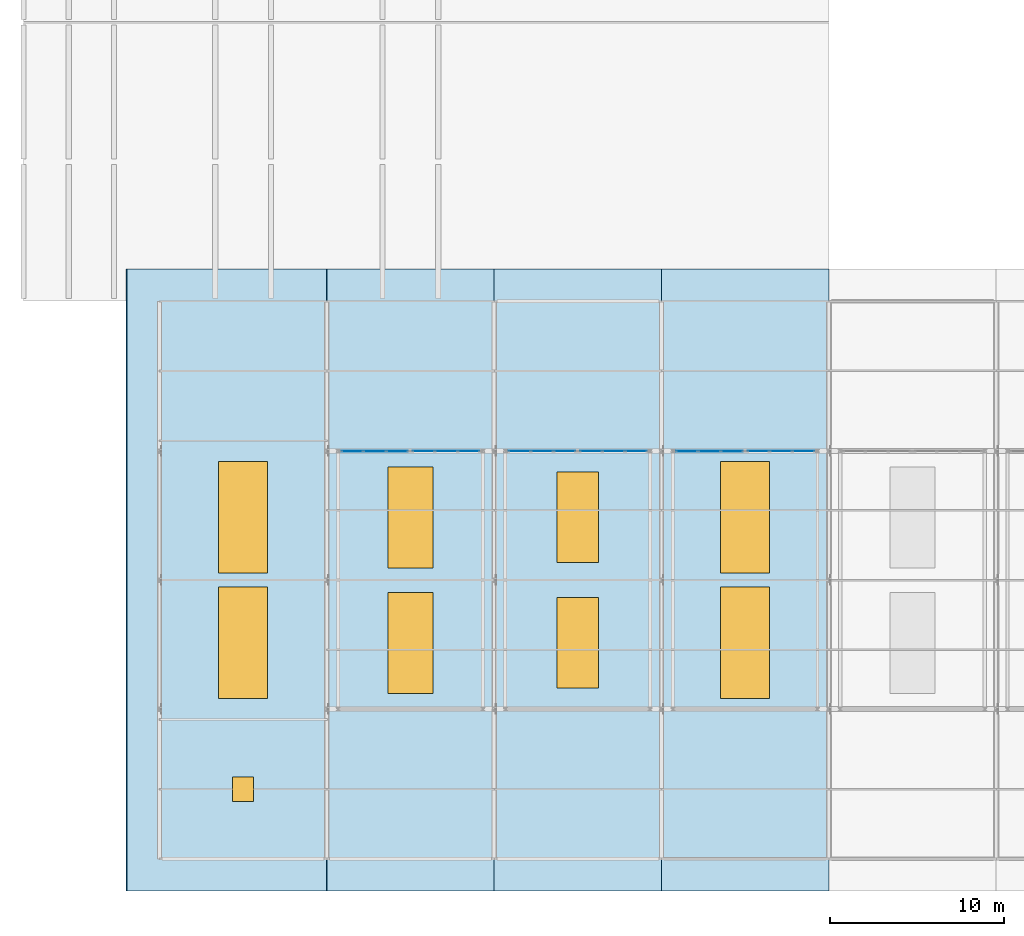
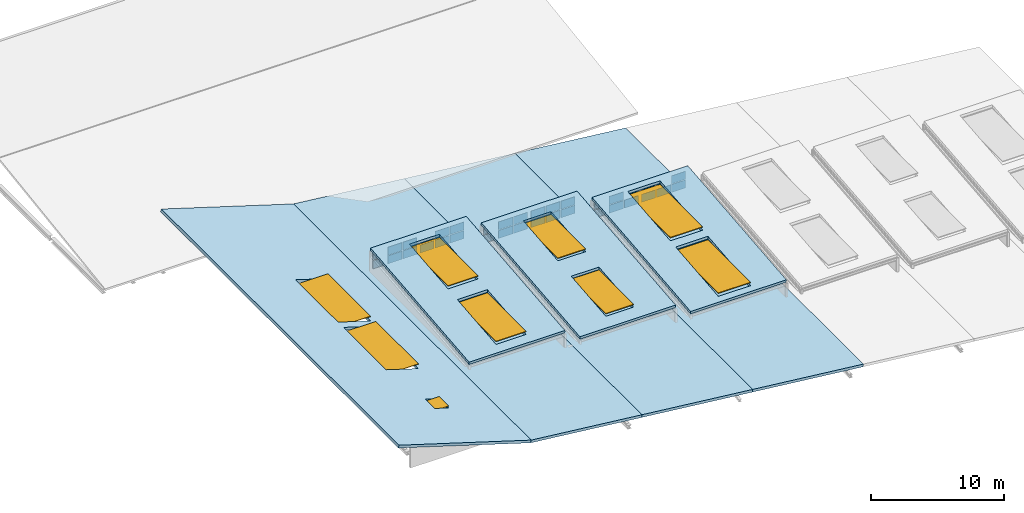
# One storey, part 26 of 30: 36 plates, 9 windows, 7 slabs, 9 openings, 6 elements without a shape of their own.
"""IFC4 building model written with IfcOpenShell, lengths in metres."""

from ifc_helpers import new_model, si_unit, direction, frame, origin, origin_2d, place, context, subcontext, project, spatial, polyline, rectangle, outline, extrude, material, layer, layer_set, type_object, element, fill, aggregate, save


model = new_model("IFC4")

# Units and contexts
model_context = context("Model", 3, precision=1e-05, world=origin(), true_north=direction((0.0, 1.0)))
body_context = subcontext(model_context, "Body", "Model", "MODEL_VIEW")
ifc_project = project(units=[si_unit("LENGTHUNIT", "METRE"), si_unit("AREAUNIT", "SQUARE_METRE"), si_unit("VOLUMEUNIT", "CUBIC_METRE"), si_unit("PLANEANGLEUNIT", "RADIAN"), si_unit("MASSUNIT", "GRAM", prefix="KILO")], contexts=[model_context])

# Site, building, storey
site_placement = place(None, origin())
site = spatial("IfcSite", under=ifc_project, at=site_placement, CompositionType="ELEMENT")
building_placement = place(site_placement, origin())
building = spatial("IfcBuilding", under=site, at=building_placement, Name="Alderhovde Museum", CompositionType="ELEMENT")
storey_placement = place(building_placement, frame((0.0, 0.0, 30.699951171875)))
storey = spatial("IfcBuildingStorey", under=building, at=storey_placement, Name="RF", CompositionType="ELEMENT", Elevation=30.699951171875)

# Curtain wall, plates
ifc_material_1 = material(Name="Triple-Glazed Bronze-Anodised Curtain Wall", Category="glass")
ifc_layer_1 = layer(ifc_material_1, 0.179931640625)
ifc_layer_set_1 = layer_set([ifc_layer_1], Name="Triple-Glazed Bronze-Anodised Curtain Wall")
curtain_wall_type = type_object("IfcCurtainWallType", Name="CW-STIC-394x166", PredefinedType="USERDEFINED", material=ifc_layer_set_1)
curtain_wall_1_placement = place(storey_placement, origin())
curtain_wall_1 = element("IfcCurtainWall", 1, at=curtain_wall_1_placement, inside=storey, type_object=curtain_wall_type, Name="RF Stick Curtain Wall 168", ObjectType="STICK CURTAIN WALL", PredefinedType="USERDEFINED")
ifc_material_2 = material(Name="Triple-Glazed Low-E Laminated Glass", Category="glass")
ifc_layer_2 = layer(ifc_material_2, 0.028076171875)
ifc_layer_set_2 = layer_set([ifc_layer_2], Name="Triple-Glazed Low-E Laminated Glass")
plate_type_1 = type_object("IfcPlateType", Name="CWP-GLAZ-28", PredefinedType="CURTAIN_PANEL", material=ifc_layer_set_2)
plate_1_placement = place(storey_placement, frame((24.7529296875, 71.39990234375, -1.164794921875), z_axis=(0.0, 0.0, 1.0), x_axis=(1.0, 0.0, 0.0)))
plate_1 = element("IfcPlate", 2, at=plate_1_placement, type_object=plate_type_1, Name="CW39 panel 1.1", PredefinedType="CURTAIN_PANEL", context=body_context, shape_type="SweptSolid", body=[
    extrude(rectangle(XDim=1.2158203125, YDim=0.028076171875, at=origin_2d()), origin(), (0.0, 0.0, 1.0), 0.732421875),
])
plate_2_placement = place(storey_placement, frame((24.7529296875, 71.39990234375, -0.367431640625), z_axis=(0.0, 0.0, 1.0), x_axis=(1.0, 0.0, 0.0)))
plate_2 = element("IfcPlate", 3, at=plate_2_placement, type_object=plate_type_1, Name="CW39 panel 1.2", PredefinedType="CURTAIN_PANEL", context=body_context, shape_type="SweptSolid", body=[
    extrude(rectangle(XDim=1.2158203125, YDim=0.028076171875, at=origin_2d()), origin(), (0.0, 0.0, 1.0), 0.732421875),
])
plate_3_placement = place(storey_placement, frame((26.050048828125, 71.39990234375, -1.164794921875), z_axis=(0.0, 0.0, 1.0), x_axis=(1.0, 0.0, 0.0)))
plate_3 = element("IfcPlate", 4, at=plate_3_placement, type_object=plate_type_1, Name="CW39 panel 2.1", PredefinedType="CURTAIN_PANEL", context=body_context, shape_type="SweptSolid", body=[
    extrude(rectangle(XDim=1.248291015625, YDim=0.028076171875, at=origin_2d()), origin(), (0.0, 0.0, 1.0), 0.732421875),
])
plate_4_placement = place(storey_placement, frame((26.050048828125, 71.39990234375, -0.367431640625), z_axis=(0.0, 0.0, 1.0), x_axis=(1.0, 0.0, 0.0)))
plate_4 = element("IfcPlate", 5, at=plate_4_placement, type_object=plate_type_1, Name="CW39 panel 2.2", PredefinedType="CURTAIN_PANEL", context=body_context, shape_type="SweptSolid", body=[
    extrude(rectangle(XDim=1.248291015625, YDim=0.028076171875, at=origin_2d()), origin(), (0.0, 0.0, 1.0), 0.732421875),
])
plate_5_placement = place(storey_placement, frame((27.34716796875, 71.39990234375, -1.164794921875), z_axis=(0.0, 0.0, 1.0), x_axis=(1.0, 0.0, 0.0)))
plate_5 = element("IfcPlate", 6, at=plate_5_placement, type_object=plate_type_1, Name="CW39 panel 3.1", PredefinedType="CURTAIN_PANEL", context=body_context, shape_type="SweptSolid", body=[
    extrude(rectangle(XDim=1.2158203125, YDim=0.028076171875, at=origin_2d()), origin(), (0.0, 0.0, 1.0), 0.732421875),
])
plate_6_placement = place(storey_placement, frame((27.34716796875, 71.39990234375, -0.367431640625), z_axis=(0.0, 0.0, 1.0), x_axis=(1.0, 0.0, 0.0)))
plate_6 = element("IfcPlate", 7, at=plate_6_placement, type_object=plate_type_1, Name="CW39 panel 3.2", PredefinedType="CURTAIN_PANEL", context=body_context, shape_type="SweptSolid", body=[
    extrude(rectangle(XDim=1.2158203125, YDim=0.028076171875, at=origin_2d()), origin(), (0.0, 0.0, 1.0), 0.732421875),
])
aggregate(curtain_wall_1, [plate_1, plate_2, plate_3, plate_4, plate_5, plate_6])

curtain_wall_2_placement = place(storey_placement, origin())
curtain_wall_2 = element("IfcCurtainWall", 8, at=curtain_wall_2_placement, inside=storey, type_object=curtain_wall_type, Name="RF Stick Curtain Wall 172", ObjectType="STICK CURTAIN WALL", PredefinedType="USERDEFINED")
plate_7_placement = place(storey_placement, frame((43.952880859375, 71.39990234375, -3.241943359375), z_axis=(0.0, 0.0, 1.0), x_axis=(1.0, 0.0, 0.0)))
plate_7 = element("IfcPlate", 9, at=plate_7_placement, type_object=plate_type_1, Name="CW39 panel 1.1", PredefinedType="CURTAIN_PANEL", context=body_context, shape_type="SweptSolid", body=[
    extrude(rectangle(XDim=1.2158203125, YDim=0.028076171875, at=origin_2d()), origin(), (0.0, 0.0, 1.0), 0.732421875),
])
plate_8_placement = place(storey_placement, frame((43.952880859375, 71.39990234375, -2.4443359375), z_axis=(0.0, 0.0, 1.0), x_axis=(1.0, 0.0, 0.0)))
plate_8 = element("IfcPlate", 10, at=plate_8_placement, type_object=plate_type_1, Name="CW39 panel 1.2", PredefinedType="CURTAIN_PANEL", context=body_context, shape_type="SweptSolid", body=[
    extrude(rectangle(XDim=1.2158203125, YDim=0.028076171875, at=origin_2d()), origin(), (0.0, 0.0, 1.0), 0.732421875),
])
plate_9_placement = place(storey_placement, frame((45.25, 71.39990234375, -3.241943359375), z_axis=(0.0, 0.0, 1.0), x_axis=(1.0, 0.0, 0.0)))
plate_9 = element("IfcPlate", 11, at=plate_9_placement, type_object=plate_type_1, Name="CW39 panel 2.1", PredefinedType="CURTAIN_PANEL", context=body_context, shape_type="SweptSolid", body=[
    extrude(rectangle(XDim=1.248291015625, YDim=0.028076171875, at=origin_2d()), origin(), (0.0, 0.0, 1.0), 0.732421875),
])
plate_10_placement = place(storey_placement, frame((45.25, 71.39990234375, -2.4443359375), z_axis=(0.0, 0.0, 1.0), x_axis=(1.0, 0.0, 0.0)))
plate_10 = element("IfcPlate", 12, at=plate_10_placement, type_object=plate_type_1, Name="CW39 panel 2.2", PredefinedType="CURTAIN_PANEL", context=body_context, shape_type="SweptSolid", body=[
    extrude(rectangle(XDim=1.248291015625, YDim=0.028076171875, at=origin_2d()), origin(), (0.0, 0.0, 1.0), 0.732421875),
])
plate_11_placement = place(storey_placement, frame((46.547119140625, 71.39990234375, -3.241943359375), z_axis=(0.0, 0.0, 1.0), x_axis=(1.0, 0.0, 0.0)))
plate_11 = element("IfcPlate", 13, at=plate_11_placement, type_object=plate_type_1, Name="CW39 panel 3.1", PredefinedType="CURTAIN_PANEL", context=body_context, shape_type="SweptSolid", body=[
    extrude(rectangle(XDim=1.2158203125, YDim=0.028076171875, at=origin_2d()), origin(), (0.0, 0.0, 1.0), 0.732421875),
])
plate_12_placement = place(storey_placement, frame((46.547119140625, 71.39990234375, -2.4443359375), z_axis=(0.0, 0.0, 1.0), x_axis=(1.0, 0.0, 0.0)))
plate_12 = element("IfcPlate", 14, at=plate_12_placement, type_object=plate_type_1, Name="CW39 panel 3.2", PredefinedType="CURTAIN_PANEL", context=body_context, shape_type="SweptSolid", body=[
    extrude(rectangle(XDim=1.2158203125, YDim=0.028076171875, at=origin_2d()), origin(), (0.0, 0.0, 1.0), 0.732421875),
])
aggregate(curtain_wall_2, [plate_7, plate_8, plate_9, plate_10, plate_11, plate_12])

curtain_wall_3_placement = place(storey_placement, origin())
curtain_wall_3 = element("IfcCurtainWall", 15, at=curtain_wall_3_placement, inside=storey, type_object=curtain_wall_type, Name="RF Stick Curtain Wall 169", ObjectType="STICK CURTAIN WALL", PredefinedType="USERDEFINED")
ifc_material_3 = material(Name="Triple-Glazed Low-E Laminated Glass", Category="glass")
ifc_layer_3 = layer(ifc_material_3, 0.035888671875)
ifc_layer_set_3 = layer_set([ifc_layer_3], Name="Triple-Glazed Low-E Laminated Glass")
plate_type_2 = type_object("IfcPlateType", Name="CWP-GLAZ-36", PredefinedType="CURTAIN_PANEL", material=ifc_layer_set_3)
plate_13_placement = place(storey_placement, frame((30.2529296875, 71.39990234375, -2.202880859375), z_axis=(0.0, 0.0, 1.0), x_axis=(1.0, 0.0, 0.0)))
plate_13 = element("IfcPlate", 16, at=plate_13_placement, type_object=plate_type_2, Name="CW39 panel 1.1", PredefinedType="CURTAIN_PANEL", context=body_context, shape_type="SweptSolid", body=[
    extrude(rectangle(XDim=1.2158203125, YDim=0.035888671875, at=origin_2d()), origin(), (0.0, 0.0, 1.0), 0.732421875),
])
plate_14_placement = place(storey_placement, frame((30.2529296875, 71.39990234375, -1.405517578125), z_axis=(0.0, 0.0, 1.0), x_axis=(1.0, 0.0, 0.0)))
plate_14 = element("IfcPlate", 17, at=plate_14_placement, type_object=plate_type_2, Name="CW39 panel 1.2", PredefinedType="CURTAIN_PANEL", context=body_context, shape_type="SweptSolid", body=[
    extrude(rectangle(XDim=1.2158203125, YDim=0.035888671875, at=origin_2d()), origin(), (0.0, 0.0, 1.0), 0.732421875),
])
plate_15_placement = place(storey_placement, frame((31.550048828125, 71.39990234375, -2.202880859375), z_axis=(0.0, 0.0, 1.0), x_axis=(1.0, 0.0, 0.0)))
plate_15 = element("IfcPlate", 18, at=plate_15_placement, type_object=plate_type_2, Name="CW39 panel 2.1", PredefinedType="CURTAIN_PANEL", context=body_context, shape_type="SweptSolid", body=[
    extrude(rectangle(XDim=1.248291015625, YDim=0.035888671875, at=origin_2d()), origin(), (0.0, 0.0, 1.0), 0.732421875),
])
plate_16_placement = place(storey_placement, frame((31.550048828125, 71.39990234375, -1.405517578125), z_axis=(0.0, 0.0, 1.0), x_axis=(1.0, 0.0, 0.0)))
plate_16 = element("IfcPlate", 19, at=plate_16_placement, type_object=plate_type_2, Name="CW39 panel 2.2", PredefinedType="CURTAIN_PANEL", context=body_context, shape_type="SweptSolid", body=[
    extrude(rectangle(XDim=1.248291015625, YDim=0.035888671875, at=origin_2d()), origin(), (0.0, 0.0, 1.0), 0.732421875),
])
plate_17_placement = place(storey_placement, frame((32.84716796875, 71.39990234375, -2.202880859375), z_axis=(0.0, 0.0, 1.0), x_axis=(1.0, 0.0, 0.0)))
plate_17 = element("IfcPlate", 20, at=plate_17_placement, type_object=plate_type_2, Name="CW39 panel 3.1", PredefinedType="CURTAIN_PANEL", context=body_context, shape_type="SweptSolid", body=[
    extrude(rectangle(XDim=1.2158203125, YDim=0.035888671875, at=origin_2d()), origin(), (0.0, 0.0, 1.0), 0.732421875),
])
plate_18_placement = place(storey_placement, frame((32.84716796875, 71.39990234375, -1.405517578125), z_axis=(0.0, 0.0, 1.0), x_axis=(1.0, 0.0, 0.0)))
plate_18 = element("IfcPlate", 21, at=plate_18_placement, type_object=plate_type_2, Name="CW39 panel 3.2", PredefinedType="CURTAIN_PANEL", context=body_context, shape_type="SweptSolid", body=[
    extrude(rectangle(XDim=1.2158203125, YDim=0.035888671875, at=origin_2d()), origin(), (0.0, 0.0, 1.0), 0.732421875),
])
aggregate(curtain_wall_3, [plate_13, plate_14, plate_15, plate_16, plate_17, plate_18])

curtain_wall_4_placement = place(storey_placement, origin())
curtain_wall_4 = element("IfcCurtainWall", 22, at=curtain_wall_4_placement, inside=storey, type_object=curtain_wall_type, Name="RF Stick Curtain Wall 170", ObjectType="STICK CURTAIN WALL", PredefinedType="USERDEFINED")
ifc_material_4 = material(Name="Triple-Glazed Low-E Laminated Glass", Category="glass")
ifc_layer_4 = layer(ifc_material_4, 0.0439453125)
ifc_layer_set_4 = layer_set([ifc_layer_4], Name="Triple-Glazed Low-E Laminated Glass")
plate_type_3 = type_object("IfcPlateType", Name="CWP-GLAZ-44", PredefinedType="CURTAIN_PANEL", material=ifc_layer_set_4)
plate_19_placement = place(storey_placement, frame((34.35302734375, 71.39990234375, -2.202880859375), z_axis=(0.0, 0.0, 1.0), x_axis=(1.0, 0.0, 0.0)))
plate_19 = element("IfcPlate", 23, at=plate_19_placement, type_object=plate_type_3, Name="CW39 panel 1.1", PredefinedType="CURTAIN_PANEL", context=body_context, shape_type="SweptSolid", body=[
    extrude(rectangle(XDim=1.2158203125, YDim=0.0439453125, at=origin_2d()), origin(), (0.0, 0.0, 1.0), 0.732421875),
])
plate_20_placement = place(storey_placement, frame((34.35302734375, 71.39990234375, -1.405517578125), z_axis=(0.0, 0.0, 1.0), x_axis=(1.0, 0.0, 0.0)))
plate_20 = element("IfcPlate", 24, at=plate_20_placement, type_object=plate_type_3, Name="CW39 panel 1.2", PredefinedType="CURTAIN_PANEL", context=body_context, shape_type="SweptSolid", body=[
    extrude(rectangle(XDim=1.2158203125, YDim=0.0439453125, at=origin_2d()), origin(), (0.0, 0.0, 1.0), 0.732421875),
])
plate_21_placement = place(storey_placement, frame((35.64990234375, 71.39990234375, -2.202880859375), z_axis=(0.0, 0.0, 1.0), x_axis=(1.0, 0.0, 0.0)))
plate_21 = element("IfcPlate", 25, at=plate_21_placement, type_object=plate_type_3, Name="CW39 panel 2.1", PredefinedType="CURTAIN_PANEL", context=body_context, shape_type="SweptSolid", body=[
    extrude(rectangle(XDim=1.248291015625, YDim=0.0439453125, at=origin_2d()), origin(), (0.0, 0.0, 1.0), 0.732421875),
])
plate_22_placement = place(storey_placement, frame((35.64990234375, 71.39990234375, -1.405517578125), z_axis=(0.0, 0.0, 1.0), x_axis=(1.0, 0.0, 0.0)))
plate_22 = element("IfcPlate", 26, at=plate_22_placement, type_object=plate_type_3, Name="CW39 panel 2.2", PredefinedType="CURTAIN_PANEL", context=body_context, shape_type="SweptSolid", body=[
    extrude(rectangle(XDim=1.248291015625, YDim=0.0439453125, at=origin_2d()), origin(), (0.0, 0.0, 1.0), 0.732421875),
])
plate_23_placement = place(storey_placement, frame((36.947021484375, 71.39990234375, -2.202880859375), z_axis=(0.0, 0.0, 1.0), x_axis=(1.0, 0.0, 0.0)))
plate_23 = element("IfcPlate", 27, at=plate_23_placement, type_object=plate_type_3, Name="CW39 panel 3.1", PredefinedType="CURTAIN_PANEL", context=body_context, shape_type="SweptSolid", body=[
    extrude(rectangle(XDim=1.2158203125, YDim=0.0439453125, at=origin_2d()), origin(), (0.0, 0.0, 1.0), 0.732421875),
])
plate_24_placement = place(storey_placement, frame((36.947021484375, 71.39990234375, -1.405517578125), z_axis=(0.0, 0.0, 1.0), x_axis=(1.0, 0.0, 0.0)))
plate_24 = element("IfcPlate", 28, at=plate_24_placement, type_object=plate_type_3, Name="CW39 panel 3.2", PredefinedType="CURTAIN_PANEL", context=body_context, shape_type="SweptSolid", body=[
    extrude(rectangle(XDim=1.2158203125, YDim=0.0439453125, at=origin_2d()), origin(), (0.0, 0.0, 1.0), 0.732421875),
])
aggregate(curtain_wall_4, [plate_19, plate_20, plate_21, plate_22, plate_23, plate_24])

curtain_wall_5_placement = place(storey_placement, origin())
curtain_wall_5 = element("IfcCurtainWall", 29, at=curtain_wall_5_placement, inside=storey, type_object=curtain_wall_type, Name="RF Stick Curtain Wall 167", ObjectType="STICK CURTAIN WALL", PredefinedType="USERDEFINED")
ifc_material_5 = material(Name="Triple-Glazed Low-E Laminated Glass", Category="glass")
ifc_layer_5 = layer(ifc_material_5, 0.052001953125)
ifc_layer_set_5 = layer_set([ifc_layer_5], Name="Triple-Glazed Low-E Laminated Glass")
plate_type_4 = type_object("IfcPlateType", Name="CWP-GLAZ-52", PredefinedType="CURTAIN_PANEL", material=ifc_layer_set_5)
plate_25_placement = place(storey_placement, frame((20.65283203125, 71.39990234375, -1.164794921875), z_axis=(0.0, 0.0, 1.0), x_axis=(1.0, 0.0, 0.0)))
plate_25 = element("IfcPlate", 30, at=plate_25_placement, type_object=plate_type_4, Name="CW39 panel 1.1", PredefinedType="CURTAIN_PANEL", context=body_context, shape_type="SweptSolid", body=[
    extrude(rectangle(XDim=1.2158203125, YDim=0.052001953125, at=origin_2d()), origin(), (0.0, 0.0, 1.0), 0.732421875),
])
plate_26_placement = place(storey_placement, frame((20.65283203125, 71.39990234375, -0.367431640625), z_axis=(0.0, 0.0, 1.0), x_axis=(1.0, 0.0, 0.0)))
plate_26 = element("IfcPlate", 31, at=plate_26_placement, type_object=plate_type_4, Name="CW39 panel 1.2", PredefinedType="CURTAIN_PANEL", context=body_context, shape_type="SweptSolid", body=[
    extrude(rectangle(XDim=1.2158203125, YDim=0.052001953125, at=origin_2d()), origin(), (0.0, 0.0, 1.0), 0.732421875),
])
plate_27_placement = place(storey_placement, frame((21.949951171875, 71.39990234375, -1.164794921875), z_axis=(0.0, 0.0, 1.0), x_axis=(1.0, 0.0, 0.0)))
plate_27 = element("IfcPlate", 32, at=plate_27_placement, type_object=plate_type_4, Name="CW39 panel 2.1", PredefinedType="CURTAIN_PANEL", context=body_context, shape_type="SweptSolid", body=[
    extrude(rectangle(XDim=1.248291015625, YDim=0.052001953125, at=origin_2d()), origin(), (0.0, 0.0, 1.0), 0.732421875),
])
plate_28_placement = place(storey_placement, frame((21.949951171875, 71.39990234375, -0.367431640625), z_axis=(0.0, 0.0, 1.0), x_axis=(1.0, 0.0, 0.0)))
plate_28 = element("IfcPlate", 33, at=plate_28_placement, type_object=plate_type_4, Name="CW39 panel 2.2", PredefinedType="CURTAIN_PANEL", context=body_context, shape_type="SweptSolid", body=[
    extrude(rectangle(XDim=1.248291015625, YDim=0.052001953125, at=origin_2d()), origin(), (0.0, 0.0, 1.0), 0.732421875),
])
plate_29_placement = place(storey_placement, frame((23.2470703125, 71.39990234375, -1.164794921875), z_axis=(0.0, 0.0, 1.0), x_axis=(1.0, 0.0, 0.0)))
plate_29 = element("IfcPlate", 34, at=plate_29_placement, type_object=plate_type_4, Name="CW39 panel 3.1", PredefinedType="CURTAIN_PANEL", context=body_context, shape_type="SweptSolid", body=[
    extrude(rectangle(XDim=1.2158203125, YDim=0.052001953125, at=origin_2d()), origin(), (0.0, 0.0, 1.0), 0.732421875),
])
plate_30_placement = place(storey_placement, frame((23.2470703125, 71.39990234375, -0.367431640625), z_axis=(0.0, 0.0, 1.0), x_axis=(1.0, 0.0, 0.0)))
plate_30 = element("IfcPlate", 35, at=plate_30_placement, type_object=plate_type_4, Name="CW39 panel 3.2", PredefinedType="CURTAIN_PANEL", context=body_context, shape_type="SweptSolid", body=[
    extrude(rectangle(XDim=1.2158203125, YDim=0.052001953125, at=origin_2d()), origin(), (0.0, 0.0, 1.0), 0.732421875),
])
aggregate(curtain_wall_5, [plate_25, plate_26, plate_27, plate_28, plate_29, plate_30])

curtain_wall_6_placement = place(storey_placement, origin())
curtain_wall_6 = element("IfcCurtainWall", 36, at=curtain_wall_6_placement, inside=storey, type_object=curtain_wall_type, Name="RF Stick Curtain Wall 171", ObjectType="STICK CURTAIN WALL", PredefinedType="USERDEFINED")
plate_31_placement = place(storey_placement, frame((39.85302734375, 71.39990234375, -3.241943359375), z_axis=(0.0, 0.0, 1.0), x_axis=(1.0, 0.0, 0.0)))
plate_31 = element("IfcPlate", 37, at=plate_31_placement, type_object=plate_type_4, Name="CW39 panel 1.1", PredefinedType="CURTAIN_PANEL", context=body_context, shape_type="SweptSolid", body=[
    extrude(rectangle(XDim=1.2158203125, YDim=0.052001953125, at=origin_2d()), origin(), (0.0, 0.0, 1.0), 0.732421875),
])
plate_32_placement = place(storey_placement, frame((39.85302734375, 71.39990234375, -2.4443359375), z_axis=(0.0, 0.0, 1.0), x_axis=(1.0, 0.0, 0.0)))
plate_32 = element("IfcPlate", 38, at=plate_32_placement, type_object=plate_type_4, Name="CW39 panel 1.2", PredefinedType="CURTAIN_PANEL", context=body_context, shape_type="SweptSolid", body=[
    extrude(rectangle(XDim=1.2158203125, YDim=0.052001953125, at=origin_2d()), origin(), (0.0, 0.0, 1.0), 0.732421875),
])
plate_33_placement = place(storey_placement, frame((41.14990234375, 71.39990234375, -3.241943359375), z_axis=(0.0, 0.0, 1.0), x_axis=(1.0, 0.0, 0.0)))
plate_33 = element("IfcPlate", 39, at=plate_33_placement, type_object=plate_type_4, Name="CW39 panel 2.1", PredefinedType="CURTAIN_PANEL", context=body_context, shape_type="SweptSolid", body=[
    extrude(rectangle(XDim=1.248291015625, YDim=0.052001953125, at=origin_2d()), origin(), (0.0, 0.0, 1.0), 0.732421875),
])
plate_34_placement = place(storey_placement, frame((41.14990234375, 71.39990234375, -2.4443359375), z_axis=(0.0, 0.0, 1.0), x_axis=(1.0, 0.0, 0.0)))
plate_34 = element("IfcPlate", 40, at=plate_34_placement, type_object=plate_type_4, Name="CW39 panel 2.2", PredefinedType="CURTAIN_PANEL", context=body_context, shape_type="SweptSolid", body=[
    extrude(rectangle(XDim=1.248291015625, YDim=0.052001953125, at=origin_2d()), origin(), (0.0, 0.0, 1.0), 0.732421875),
])
plate_35_placement = place(storey_placement, frame((42.447021484375, 71.39990234375, -3.241943359375), z_axis=(0.0, 0.0, 1.0), x_axis=(1.0, 0.0, 0.0)))
plate_35 = element("IfcPlate", 41, at=plate_35_placement, type_object=plate_type_4, Name="CW39 panel 3.1", PredefinedType="CURTAIN_PANEL", context=body_context, shape_type="SweptSolid", body=[
    extrude(rectangle(XDim=1.2158203125, YDim=0.052001953125, at=origin_2d()), origin(), (0.0, 0.0, 1.0), 0.732421875),
])
plate_36_placement = place(storey_placement, frame((42.447021484375, 71.39990234375, -2.4443359375), z_axis=(0.0, 0.0, 1.0), x_axis=(1.0, 0.0, 0.0)))
plate_36 = element("IfcPlate", 42, at=plate_36_placement, type_object=plate_type_4, Name="CW39 panel 3.2", PredefinedType="CURTAIN_PANEL", context=body_context, shape_type="SweptSolid", body=[
    extrude(rectangle(XDim=1.2158203125, YDim=0.052001953125, at=origin_2d()), origin(), (0.0, 0.0, 1.0), 0.732421875),
])
aggregate(curtain_wall_6, [plate_31, plate_32, plate_33, plate_34, plate_35, plate_36])

# Slab, openings, windows
ifc_material_6 = material(Name="Concrete C35/45", Category="concrete")
ifc_layer_6 = layer(ifc_material_6, 0.239990234375)
ifc_layer_set_6 = layer_set([ifc_layer_6], Name="Concrete C35/45")
slab_type = type_object("IfcSlabType", Name="SLB-ROOF-240", PredefinedType="ROOF", material=ifc_layer_set_6)
slab_1_placement = place(storey_placement, frame((7.75, 46.14990234375, 2.2724609375), z_axis=(0.295565553668, 0.0, 0.955322460473), x_axis=(0.955322460473, 0.0, -0.295565553668)))
slab_1 = element("IfcSlab", 43, at=slab_1_placement, inside=storey, type_object=slab_type, Name="Folded Wing Roof Plane Bay 1", PredefinedType="ROOF", context=body_context, shape_type="SweptSolid", body=[
    extrude(outline(polyline([(0.0, 0.0), (11.985430726919951, 0.0), (11.985430726919951, 35.7001953125), (0.0, 35.7001953125), (0.0, 0.0)])), origin(), (0.0, 0.0, -1.0), 0.239990234375),
])
opening_1_placement = place(storey_placement, frame((14.39990234375, 60.39990234375, -1.52490234375)))
opening_1 = element("IfcOpeningElement", 44, at=opening_1_placement, cuts=slab_1, Name="Opening RL01", PredefinedType="OPENING", context=body_context, shape_type="SweptSolid", body=[
    extrude(rectangle(XDim=2.800048828125, YDim=6.39990234375, at=origin_2d()), origin(), (0.0, 0.0, 1.0), 3.239990234375),
])
opening_2_placement = place(storey_placement, frame((14.39990234375, 67.60009765625, -1.52490234375)))
opening_2 = element("IfcOpeningElement", 45, at=opening_2_placement, cuts=slab_1, Name="Opening RL01", PredefinedType="OPENING", context=body_context, shape_type="SweptSolid", body=[
    extrude(rectangle(XDim=2.800048828125, YDim=6.39990234375, at=origin_2d()), origin(), (0.0, 0.0, 1.0), 3.239990234375),
])
opening_3_placement = place(storey_placement, frame((14.39990234375, 52.0, -1.52490234375)))
opening_3 = element("IfcOpeningElement", 46, at=opening_3_placement, cuts=slab_1, Name="Opening RH01", PredefinedType="OPENING", context=body_context, shape_type="SweptSolid", body=[
    extrude(rectangle(XDim=1.199951171875, YDim=1.39990234375, at=origin_2d()), origin(), (0.0, 0.0, 1.0), 3.239990234375),
])
ifc_material_7 = material(Name="Triple-Glazed Low-E Bronze-Anodised Aluminium", Category="aluminium")
window_type_1 = type_object("IfcWindowType", Name="SKY-HATCH-1200x1400", PartitioningType="SINGLE_PANEL", PredefinedType="SKYLIGHT", material=ifc_material_7)
window_1_placement = place(opening_3_placement, frame((0.0, 0.0, 1.68994140625)))
window_1 = element("IfcWindow", 47, at=window_1_placement, inside=storey, type_object=window_type_1, Name="ROOF ACCESS HATCH 1", OverallHeight=1.39990234375, OverallWidth=1.199951171875, PartitioningType="SINGLE_PANEL", PredefinedType="SKYLIGHT", context=body_context, shape_type="SweptSolid", body=[
    extrude(rectangle(XDim=1.199951171875, YDim=1.39990234375, at=origin_2d()), origin(), (0.0, 0.0, 1.0), 0.050048828125),
])
fill(opening_3, window_1)
ifc_material_8 = material(Name="Triple-Glazed Low-E Bronze-Anodised Aluminium", Category="aluminium")
window_type_2 = type_object("IfcWindowType", Name="SKY-SAW-2800x6400", PartitioningType="DOUBLE_PANEL_VERTICAL", PredefinedType="SKYLIGHT", material=ifc_material_8)
window_2_placement = place(opening_1_placement, frame((0.0, 0.0, 1.68994140625)))
window_2 = element("IfcWindow", 48, at=window_2_placement, inside=storey, type_object=window_type_2, Name="Sawtooth North-Light Rooflight B1-1", OverallHeight=6.39990234375, OverallWidth=2.800048828125, PartitioningType="SINGLE_PANEL", PredefinedType="SKYLIGHT", context=body_context, shape_type="SweptSolid", body=[
    extrude(rectangle(XDim=2.800048828125, YDim=6.39990234375, at=origin_2d()), origin(), (0.0, 0.0, 1.0), 0.050048828125),
])
fill(opening_1, window_2)
window_3_placement = place(opening_2_placement, frame((0.0, 0.0, 1.68994140625)))
window_3 = element("IfcWindow", 49, at=window_3_placement, inside=storey, type_object=window_type_2, Name="Sawtooth North-Light Rooflight B1-2", OverallHeight=6.39990234375, OverallWidth=2.800048828125, PartitioningType="SINGLE_PANEL", PredefinedType="SKYLIGHT", context=body_context, shape_type="SweptSolid", body=[
    extrude(rectangle(XDim=2.800048828125, YDim=6.39990234375, at=origin_2d()), origin(), (0.0, 0.0, 1.0), 0.050048828125),
])
fill(opening_2, window_3)

# Slab
slab_2_placement = place(storey_placement, frame((19.199951171875, 46.14990234375, -1.27001953125), z_axis=(0.107531150432, 0.0, 0.994201715794), x_axis=(0.994201715794, 0.0, -0.107531150432)))
element("IfcSlab", 50, at=slab_2_placement, inside=storey, type_object=slab_type, Name="Folded Wing Roof Plane Bay 2", PredefinedType="ROOF", context=body_context, shape_type="SweptSolid", body=[
    extrude(outline(polyline([(0.0, 0.0), (9.65608638945799, 0.0), (9.65608638945799, 35.70019531250001), (0.0, 35.70019531250001), (0.0, 0.0)])), origin(), (0.0, 0.0, -1.0), 0.239990234375),
])

# Slab, openings, windows
slab_3_placement = place(storey_placement, frame((19.85009765625, 56.60009765625, -0.68994140625), z_axis=(0.0, -0.099503719021, 0.99503719021), x_axis=(1.0, 0.0, 0.0)))
slab_3 = element("IfcSlab", 51, at=slab_3_placement, inside=storey, type_object=slab_type, Name="Sawtooth North-Light Sloped Wedge Roof Bay 2", PredefinedType="ROOF", context=body_context, shape_type="SweptSolid", body=[
    extrude(outline(polyline([(0.0, 0.0), (8.2998046875, 0.0), (8.2998046875, 14.873619632625694), (0.0, 14.873619632625694), (0.0, 0.0)])), origin(), (0.0, 0.0, -1.0), 0.239990234375),
])
opening_4_placement = place(storey_placement, frame((24.0, 60.39990234375, -2.050048828125)))
opening_4 = element("IfcOpeningElement", 52, at=opening_4_placement, cuts=slab_3, Name="Opening RL02", PredefinedType="OPENING", context=body_context, shape_type="SweptSolid", body=[
    extrude(rectangle(XDim=2.60009765625, YDim=5.800048828125, at=origin_2d()), origin(), (0.0, 0.0, 1.0), 3.239990234375),
])
opening_5_placement = place(storey_placement, frame((24.0, 67.60009765625, -1.329833984375)))
opening_5 = element("IfcOpeningElement", 53, at=opening_5_placement, cuts=slab_3, Name="Opening RL02", PredefinedType="OPENING", context=body_context, shape_type="SweptSolid", body=[
    extrude(rectangle(XDim=2.60009765625, YDim=5.800048828125, at=origin_2d()), origin(), (0.0, 0.0, 1.0), 3.239990234375),
])
ifc_material_9 = material(Name="Triple-Glazed Low-E Bronze-Anodised Aluminium", Category="aluminium")
window_type_3 = type_object("IfcWindowType", Name="SKY-SAW-2600x5800", PartitioningType="DOUBLE_PANEL_VERTICAL", PredefinedType="SKYLIGHT", material=ifc_material_9)
window_4_placement = place(opening_4_placement, frame((0.0, 0.0, 1.68994140625)))
window_4 = element("IfcWindow", 54, at=window_4_placement, inside=storey, type_object=window_type_3, Name="Sawtooth North-Light Rooflight B2-1", OverallHeight=5.800048828125, OverallWidth=2.60009765625, PartitioningType="SINGLE_PANEL", PredefinedType="SKYLIGHT", context=body_context, shape_type="SweptSolid", body=[
    extrude(rectangle(XDim=2.60009765625, YDim=5.800048828125, at=origin_2d()), origin(), (0.0, 0.0, 1.0), 0.050048828125),
])
fill(opening_4, window_4)
window_5_placement = place(opening_5_placement, frame((0.0, 0.0, 1.68994140625)))
window_5 = element("IfcWindow", 55, at=window_5_placement, inside=storey, type_object=window_type_3, Name="Sawtooth North-Light Rooflight B2-2", OverallHeight=5.800048828125, OverallWidth=2.60009765625, PartitioningType="SINGLE_PANEL", PredefinedType="SKYLIGHT", context=body_context, shape_type="SweptSolid", body=[
    extrude(rectangle(XDim=2.60009765625, YDim=5.800048828125, at=origin_2d()), origin(), (0.0, 0.0, 1.0), 0.050048828125),
])
fill(opening_5, window_5)

# Slab
slab_4_placement = place(storey_placement, frame((28.800048828125, 46.14990234375, -2.308349609375), z_axis=(0.107533853509, 0.0, 0.99420142343), x_axis=(0.99420142343, 0.0, -0.107533853509)))
element("IfcSlab", 56, at=slab_4_placement, inside=storey, type_object=slab_type, Name="Folded Wing Roof Plane Bay 3", PredefinedType="ROOF", context=body_context, shape_type="SweptSolid", body=[
    extrude(outline(polyline([(0.0, 0.0), (9.655843664465408, 0.0), (9.655843664465408, 35.7001953125), (0.0, 35.7001953125), (0.0, 0.0)])), origin(), (0.0, 0.0, -1.0), 0.239990234375),
])

# Slab, openings, windows
slab_5_placement = place(storey_placement, frame((29.449951171875, 56.60009765625, -1.728271484375), z_axis=(0.0, -0.099503719021, 0.99503719021), x_axis=(1.0, 0.0, 0.0)))
slab_5 = element("IfcSlab", 57, at=slab_5_placement, inside=storey, type_object=slab_type, Name="Sawtooth North-Light Sloped Wedge Roof Bay 3", PredefinedType="ROOF", context=body_context, shape_type="SweptSolid", body=[
    extrude(outline(polyline([(0.0, 0.0), (8.300048828125, 0.0), (8.300048828125, 14.873619632625694), (0.0, 14.873619632625694), (0.0, 0.0)])), origin(), (0.0, 0.0, -1.0), 0.239990234375),
])
opening_6_placement = place(storey_placement, frame((33.60009765625, 60.39990234375, -3.08837890625)))
opening_6 = element("IfcOpeningElement", 58, at=opening_6_placement, cuts=slab_5, Name="Opening RL03", PredefinedType="OPENING", context=body_context, shape_type="SweptSolid", body=[
    extrude(rectangle(XDim=2.39990234375, YDim=5.199951171875, at=origin_2d()), origin(), (0.0, 0.0, 1.0), 3.239990234375),
])
opening_7_placement = place(storey_placement, frame((33.60009765625, 67.60009765625, -2.3681640625)))
opening_7 = element("IfcOpeningElement", 59, at=opening_7_placement, cuts=slab_5, Name="Opening RL03", PredefinedType="OPENING", context=body_context, shape_type="SweptSolid", body=[
    extrude(rectangle(XDim=2.39990234375, YDim=5.199951171875, at=origin_2d()), origin(), (0.0, 0.0, 1.0), 3.239990234375),
])
ifc_material_10 = material(Name="Triple-Glazed Low-E Bronze-Anodised Aluminium", Category="aluminium")
window_type_4 = type_object("IfcWindowType", Name="SKY-SAW-2400x5200", PartitioningType="DOUBLE_PANEL_VERTICAL", PredefinedType="SKYLIGHT", material=ifc_material_10)
window_6_placement = place(opening_6_placement, frame((0.0, 0.0, 1.68994140625)))
window_6 = element("IfcWindow", 60, at=window_6_placement, inside=storey, type_object=window_type_4, Name="Sawtooth North-Light Rooflight B3-1", OverallHeight=5.199951171875, OverallWidth=2.39990234375, PartitioningType="SINGLE_PANEL", PredefinedType="SKYLIGHT", context=body_context, shape_type="SweptSolid", body=[
    extrude(rectangle(XDim=2.39990234375, YDim=5.199951171875, at=origin_2d()), origin(), (0.0, 0.0, 1.0), 0.050048828125),
])
fill(opening_6, window_6)
window_7_placement = place(opening_7_placement, frame((0.0, 0.0, 1.68994140625)))
window_7 = element("IfcWindow", 61, at=window_7_placement, inside=storey, type_object=window_type_4, Name="Sawtooth North-Light Rooflight B3-2", OverallHeight=5.199951171875, OverallWidth=2.39990234375, PartitioningType="SINGLE_PANEL", PredefinedType="SKYLIGHT", context=body_context, shape_type="SweptSolid", body=[
    extrude(rectangle(XDim=2.39990234375, YDim=5.199951171875, at=origin_2d()), origin(), (0.0, 0.0, 1.0), 0.050048828125),
])
fill(opening_7, window_7)

# Slab
slab_6_placement = place(storey_placement, frame((38.39990234375, 46.14990234375, -3.3466796875), z_axis=(0.107531150432, 0.0, 0.994201715794), x_axis=(0.994201715794, 0.0, -0.107531150432)))
element("IfcSlab", 62, at=slab_6_placement, inside=storey, type_object=slab_type, Name="Folded Wing Roof Plane Bay 4", PredefinedType="ROOF", context=body_context, shape_type="SweptSolid", body=[
    extrude(outline(polyline([(0.0, 0.0), (9.65608638945799, 0.0), (9.65608638945799, 35.70019531250001), (0.0, 35.70019531250001), (0.0, 0.0)])), origin(), (0.0, 0.0, -1.0), 0.239990234375),
])

# Slab, openings, windows
slab_7_placement = place(storey_placement, frame((39.050048828125, 56.60009765625, -2.7666015625), z_axis=(0.0, -0.099503719021, 0.99503719021), x_axis=(1.0, 0.0, 0.0)))
slab_7 = element("IfcSlab", 63, at=slab_7_placement, inside=storey, type_object=slab_type, Name="Sawtooth North-Light Sloped Wedge Roof Bay 4", PredefinedType="ROOF", context=body_context, shape_type="SweptSolid", body=[
    extrude(outline(polyline([(0.0, 0.0), (8.300048828125, 0.0), (8.300048828125, 14.873619632625694), (0.0, 14.873619632625694), (0.0, 0.0)])), origin(), (0.0, 0.0, -1.0), 0.239990234375),
])
opening_8_placement = place(storey_placement, frame((43.199951171875, 60.39990234375, -4.126708984375)))
opening_8 = element("IfcOpeningElement", 64, at=opening_8_placement, cuts=slab_7, Name="Opening RL01", PredefinedType="OPENING", context=body_context, shape_type="SweptSolid", body=[
    extrude(rectangle(XDim=2.800048828125, YDim=6.39990234375, at=origin_2d()), origin(), (0.0, 0.0, 1.0), 3.239990234375),
])
opening_9_placement = place(storey_placement, frame((43.199951171875, 67.60009765625, -3.406494140625)))
opening_9 = element("IfcOpeningElement", 65, at=opening_9_placement, cuts=slab_7, Name="Opening RL01", PredefinedType="OPENING", context=body_context, shape_type="SweptSolid", body=[
    extrude(rectangle(XDim=2.800048828125, YDim=6.39990234375, at=origin_2d()), origin(), (0.0, 0.0, 1.0), 3.239990234375),
])
window_8_placement = place(opening_8_placement, frame((0.0, 0.0, 1.68994140625)))
window_8 = element("IfcWindow", 66, at=window_8_placement, inside=storey, type_object=window_type_2, Name="Sawtooth North-Light Rooflight B4-1", OverallHeight=6.39990234375, OverallWidth=2.800048828125, PartitioningType="SINGLE_PANEL", PredefinedType="SKYLIGHT", context=body_context, shape_type="SweptSolid", body=[
    extrude(rectangle(XDim=2.800048828125, YDim=6.39990234375, at=origin_2d()), origin(), (0.0, 0.0, 1.0), 0.050048828125),
])
fill(opening_8, window_8)
window_9_placement = place(opening_9_placement, frame((0.0, 0.0, 1.68994140625)))
window_9 = element("IfcWindow", 67, at=window_9_placement, inside=storey, type_object=window_type_2, Name="Sawtooth North-Light Rooflight B4-2", OverallHeight=6.39990234375, OverallWidth=2.800048828125, PartitioningType="SINGLE_PANEL", PredefinedType="SKYLIGHT", context=body_context, shape_type="SweptSolid", body=[
    extrude(rectangle(XDim=2.800048828125, YDim=6.39990234375, at=origin_2d()), origin(), (0.0, 0.0, 1.0), 0.050048828125),
])
fill(opening_9, window_9)

save(model, "model.ifc")
